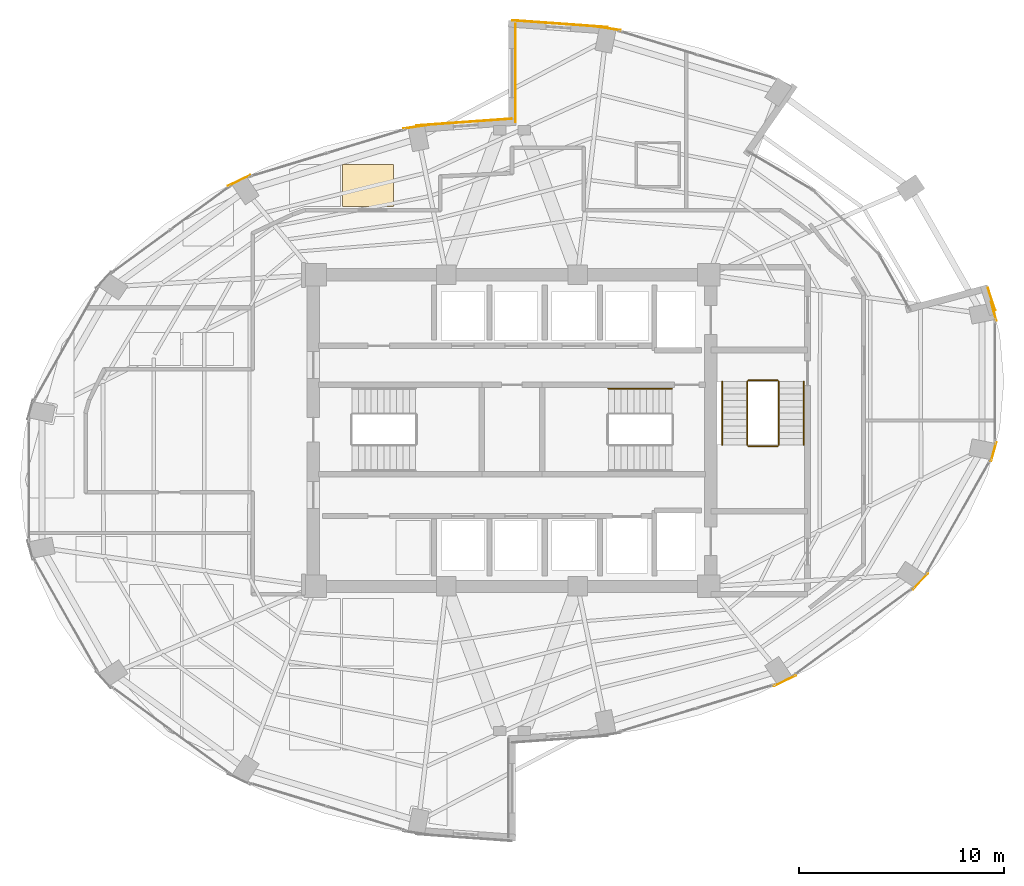
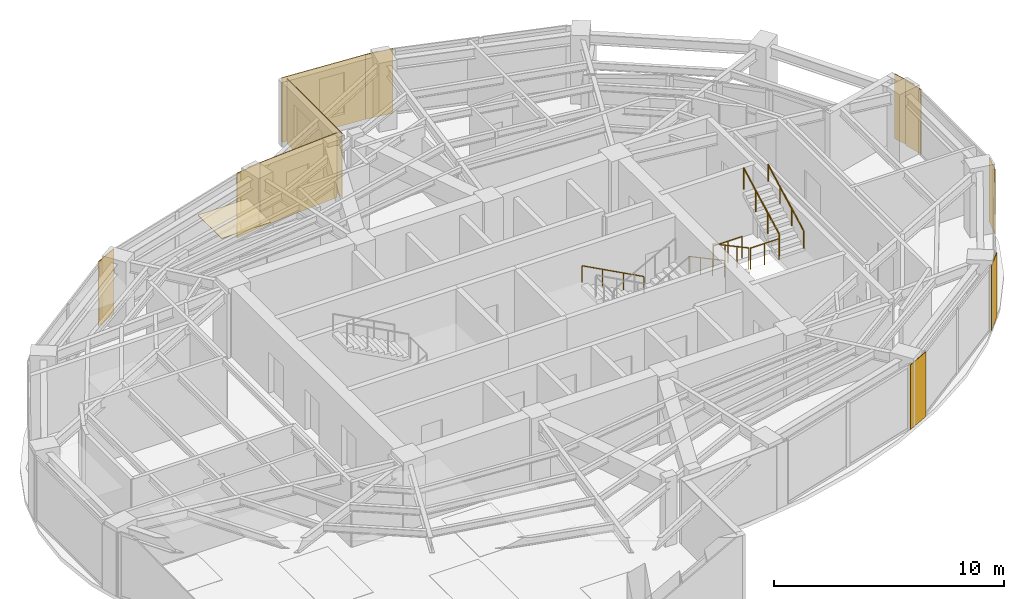
# One storey, part 19 of 19: 12 coverings, 7 railings.
"""IFC4 building model written with IfcOpenShell, lengths in metres."""

from ifc_helpers import new_model, si_unit, direction, frame, origin, origin_2d, place, context, subcontext, project, spatial, polyline, rectangle, circle, outline, extrude, material, layer, layer_set, type_object, element, save


model = new_model("IFC4")

# Units and contexts
model_context = context("Model", 3, precision=1e-05, world=origin(), true_north=direction((0.0, 1.0)))
body_context = subcontext(model_context, "Body", "Model", "MODEL_VIEW")
ifc_project = project(units=[si_unit("LENGTHUNIT", "METRE"), si_unit("AREAUNIT", "SQUARE_METRE"), si_unit("VOLUMEUNIT", "CUBIC_METRE"), si_unit("PLANEANGLEUNIT", "RADIAN"), si_unit("MASSUNIT", "GRAM", prefix="KILO")], contexts=[model_context])

# Site, building, storey
site_placement = place(None, origin())
site = spatial("IfcSite", under=ifc_project, at=site_placement, CompositionType="ELEMENT")
building_placement = place(site_placement, origin())
building = spatial("IfcBuilding", under=site, at=building_placement, Name="Lazwardi Medical Tower", CompositionType="ELEMENT")
storey_placement = place(building_placement, frame((0.0, 0.0, 171.1201171875)))
storey = spatial("IfcBuildingStorey", under=building, at=storey_placement, Name="L44", CompositionType="ELEMENT", Elevation=171.1201171875)

# Coverings
ifc_material_1 = material(Name="Anodised bronze aluminium cassette cladding", Category="aluminium")
ifc_layer_1 = layer(ifc_material_1, 0.030029296875)
ifc_layer_set_1 = layer_set([ifc_layer_1], Name="Anodised bronze aluminium cassette cladding")
covering_type_1 = type_object("IfcCoveringType", Name="COV-CLD-BRZ", PredefinedType="CLADDING", material=ifc_layer_set_1)
covering_1_placement = place(storey_placement, frame((49.31103515625, 15.798095703125, 0.0), z_axis=(0.0, 0.0, 1.0), x_axis=(0.898079014814, 0.439834154144, 0.0)))
element("IfcCovering", 1, at=covering_1_placement, inside=storey, type_object=covering_type_1, Name="L44 Mega-column bronze cassette cover M02", PredefinedType="CLADDING", context=body_context, shape_type="SweptSolid", body=[
    extrude(rectangle(XDim=1.200439453125, YDim=0.030029296875, at=origin_2d()), origin(), (0.0, 0.0, 1.0), 3.427978515625),
])
covering_2_placement = place(storey_placement, frame((55.92138671875, 20.643310546875, 0.0), z_axis=(0.0, 0.0, 1.0), x_axis=(0.673714459537, 0.738991763832, 0.0)))
element("IfcCovering", 2, at=covering_2_placement, inside=storey, type_object=covering_type_1, Name="L44 Mega-column bronze cassette cover M03", PredefinedType="CLADDING", context=body_context, shape_type="SweptSolid", body=[
    extrude(rectangle(XDim=1.0693359375, YDim=0.030029296875, at=origin_2d()), origin(), (0.0, 0.0, 1.0), 3.427978515625),
])
for number, where, z_axis, x_axis, name in (
    (3, (59.498779296875, 26.973876953125, 0.0), (0.0, 0.0, 1.0), (0.261828726257, 0.965114354938, 0.0), "L44 Mega-column bronze cassette cover M04"),
    (4, (59.498779296875, 33.826171875, 0.0), (0.0, 0.0, 1.0), (-0.261828726257, 0.965114354938, 0.0), "L44 Mega-column bronze cassette cover M05"),
):
    element("IfcCovering", number, at=place(storey_placement, frame(where, z_axis=z_axis, x_axis=x_axis)), inside=storey, type_object=covering_type_1, Name=name, PredefinedType="CLADDING", context=body_context, shape_type="SweptSolid", body=[
        extrude(rectangle(XDim=0.9658203125, YDim=0.030029296875, at=origin_2d()), origin(), (0.0, 0.0, 1.0), 3.427978515625),
    ])
for number, where, z_axis, x_axis, name in (
    (5, (40.67431640625, 47.6240234375, 0.0), (0.0, 0.0, 1.0), (-0.989539138138, 0.144264666823, 0.0), "L44 Mega-column bronze cassette cover M08"),
    (6, (31.32568359375, 42.82421875, 0.0), (0.0, 0.0, 1.0), (-0.989539138138, -0.144264666823, 0.0), "L44 Mega-column bronze cassette cover M09"),
):
    element("IfcCovering", number, at=place(storey_placement, frame(where, z_axis=z_axis, x_axis=x_axis)), inside=storey, type_object=covering_type_1, Name=name, PredefinedType="CLADDING", context=body_context, shape_type="SweptSolid", body=[
        extrude(rectangle(XDim=1.28515625, YDim=0.030029296875, at=origin_2d()), origin(), (0.0, 0.0, 1.0), 3.427978515625),
    ])
covering_3_placement = place(storey_placement, frame((22.68896484375, 40.201904296875, 0.0), z_axis=(0.0, 0.0, 1.0), x_axis=(-0.898079014814, -0.439834154144, 0.0)))
element("IfcCovering", 7, at=covering_3_placement, inside=storey, type_object=covering_type_1, Name="L44 Mega-column bronze cassette cover M10", PredefinedType="CLADDING", context=body_context, shape_type="SweptSolid", body=[
    extrude(rectangle(XDim=1.200439453125, YDim=0.030029296875, at=origin_2d()), origin(), (0.0, 0.0, 1.0), 3.427978515625),
])
ifc_material_2 = material(Name="Turquoise glazed ceramic tilework cladding", Category="masonry")
ifc_layer_2 = layer(ifc_material_2, 0.034912109375)
ifc_layer_set_2 = layer_set([ifc_layer_2], Name="Turquoise glazed ceramic tilework cladding")
covering_type_2 = type_object("IfcCoveringType", Name="COV-CLD-TRQ", PredefinedType="CLADDING", material=ifc_layer_set_2)
covering_4_placement = place(storey_placement, frame((38.338134765625, 47.847412109375, 0.0), z_axis=(0.0, 0.0, 1.0), x_axis=(-0.997414510753, 0.071863020663, 0.0)))
element("IfcCovering", 8, at=covering_4_placement, inside=storey, type_object=covering_type_2, Name="L44 Turquoise glazed ceramic tilework cladding", PredefinedType="CLADDING", context=body_context, shape_type="SweptSolid", body=[
    extrude(rectangle(XDim=4.6630859375, YDim=0.034912109375, at=origin_2d()), origin(), (0.0, 0.0, 1.0), 3.427978515625),
])
covering_5_placement = place(storey_placement, frame((33.66162109375, 43.047607421875, 0.0), z_axis=(0.0, 0.0, 1.0), x_axis=(-0.997414134466, -0.071868243112, 0.0)))
element("IfcCovering", 9, at=covering_5_placement, inside=storey, type_object=covering_type_2, Name="L44 Turquoise glazed ceramic tilework cladding", PredefinedType="CLADDING", context=body_context, shape_type="SweptSolid", body=[
    extrude(rectangle(XDim=4.66259765625, YDim=0.034912109375, at=origin_2d()), origin(), (0.0, 0.0, 1.0), 3.427978515625),
])
covering_6_placement = place(storey_placement, frame((36.175537109375, 45.43994140625, 0.0), z_axis=(0.0, 0.0, 1.0), x_axis=(0.0, -1.0, 0.0)))
element("IfcCovering", 10, at=covering_6_placement, inside=storey, type_object=covering_type_2, Name="L44 Turquoise glazed ceramic tilework iwan panel", PredefinedType="CLADDING", context=body_context, shape_type="SweptSolid", body=[
    extrude(rectangle(XDim=4.800048828125, YDim=0.034912109375, at=origin_2d()), origin(), (0.0, 0.0, 1.0), 3.427978515625),
])
covering_7_placement = place(storey_placement, frame((59.3916015625, 34.416015625, 0.0), z_axis=(0.0, 0.0, 1.0), x_axis=(-0.303560814538, 0.95281206535, 0.0)))
element("IfcCovering", 11, at=covering_7_placement, inside=storey, type_object=covering_type_2, Name="L44 Turquoise glazed ceramic tilework cladding", PredefinedType="CLADDING", context=body_context, shape_type="SweptSolid", body=[
    extrude(rectangle(XDim=1.167724609375, YDim=0.034912109375, at=origin_2d()), origin(), (0.0, 0.0, 1.0), 3.427978515625),
])
ifc_material_3 = material(Name="Acoustic mineral fibre tile")
ifc_layer_3 = layer(ifc_material_3, 0.02490234375)
ifc_layer_set_3 = layer_set([ifc_layer_3], Name="Acoustic mineral fibre tile")
covering_type_3 = type_object("IfcCoveringType", Name="COV-CLG-01", PredefinedType="CEILING", material=ifc_layer_set_3)
covering_8_placement = place(storey_placement, frame((0.0, 0.0, 3.282958984375)))
element("IfcCovering", 12, at=covering_8_placement, inside=storey, type_object=covering_type_3, Name="L44 Clinical Acoustic Ceiling 9", PredefinedType="CEILING", context=body_context, shape_type="SweptSolid", body=[
    extrude(outline(polyline([(27.742919921875, 38.925048828125), (30.222900390625, 38.925048828125), (30.222900390625, 40.992431640625), (27.742919921875, 40.992431640625), (27.742919921875, 38.925048828125)])), origin(), (0.0, 0.0, 1.0), 0.02490234375),
])

# Railings
ifc_material_4 = material(Name="Stainless steel Grade 316", Category="steel")
railing_type_1 = type_object("IfcRailingType", Name="RLG-GRD-1150", PredefinedType="GUARDRAIL", material=ifc_material_4)
railing_1_placement = place(storey_placement, frame((47.469970703125, 30.39990234375, 0.165771484375)))
element("IfcRailing", 13, at=railing_1_placement, inside=storey, type_object=railing_type_1, Name="L44 ST3 stair guard 1", PredefinedType="GUARDRAIL", context=body_context, shape_type="SweptSolid", body=[
    extrude(circle(Radius=0.02392578125, at=origin_2d()), frame((0.0, 0.0, 1.1259765625), z_axis=(0.0, -0.881767849116, 0.471683644262), x_axis=(1.0, 0.0, 0.0)), (0.0, 0.0, 1.0), 3.515380859375),
    extrude(circle(Radius=0.02099609375, at=origin_2d()), origin(), (0.0, 0.0, 1.0), 1.099853515625),
    extrude(circle(Radius=0.02099609375, at=origin_2d()), frame((0.0, -1.033203125, 0.552734375)), (0.0, 0.0, 1.0), 1.099853515625),
    extrude(circle(Radius=0.02099609375, at=origin_2d()), frame((0.0, -2.066650390625, 1.10546875)), (0.0, 0.0, 1.0), 1.099853515625),
    extrude(circle(Radius=0.02099609375, at=origin_2d()), frame((0.0, -3.099853515625, 1.658203125)), (0.0, 0.0, 1.0), 1.099853515625),
])
railing_2_placement = place(storey_placement, frame((47.52001953125, 27.25, 1.823974609375)))
element("IfcRailing", 14, at=railing_2_placement, inside=storey, type_object=railing_type_1, Name="L44 ST3 stair guard 2", PredefinedType="GUARDRAIL", context=body_context, shape_type="SweptSolid", body=[
    extrude(circle(Radius=0.02392578125, at=origin_2d()), frame((0.0, 0.0, 1.1259765625), z_axis=(1.0, 0.0, 0.0), x_axis=(0.0, 1.0, 0.0)), (0.0, 0.0, 1.0), 1.43994140625),
    extrude(circle(Radius=0.02099609375, at=origin_2d()), origin(), (0.0, 0.0, 1.0), 1.099853515625),
    extrude(circle(Radius=0.02099609375, at=origin_2d()), frame((0.719970703125, 0.0, 0.0)), (0.0, 0.0, 1.0), 1.099853515625),
    extrude(circle(Radius=0.02099609375, at=origin_2d()), frame((1.43994140625, 0.0, 0.0)), (0.0, 0.0, 1.0), 1.099853515625),
])
railing_3_placement = place(storey_placement, frame((49.010009765625, 27.300048828125, 1.98974609375)))
element("IfcRailing", 15, at=railing_3_placement, inside=storey, type_object=railing_type_1, Name="L44 ST3 stair guard 3", PredefinedType="GUARDRAIL", context=body_context, shape_type="SweptSolid", body=[
    extrude(circle(Radius=0.02392578125, at=origin_2d()), frame((0.0, 0.0, 1.1259765625), z_axis=(0.0, 0.881767849116, 0.471683644262), x_axis=(-1.0, 0.0, 0.0)), (0.0, 0.0, 1.0), 3.515380859375),
    extrude(circle(Radius=0.02099609375, at=origin_2d()), origin(), (0.0, 0.0, 1.0), 1.099853515625),
    extrude(circle(Radius=0.02099609375, at=origin_2d()), frame((0.0, 1.033203125, 0.552734375)), (0.0, 0.0, 1.0), 1.099853515625),
    extrude(circle(Radius=0.02099609375, at=origin_2d()), frame((0.0, 2.066650390625, 1.10546875)), (0.0, 0.0, 1.0), 1.099853515625),
    extrude(circle(Radius=0.02099609375, at=origin_2d()), frame((0.0, 3.099853515625, 1.658203125)), (0.0, 0.0, 1.0), 1.099853515625),
])
railing_4_placement = place(storey_placement, frame((47.52001953125, 30.449951171875, 0.0)))
element("IfcRailing", 16, at=railing_4_placement, inside=storey, type_object=railing_type_1, Name="L44 ST3 stair guard 4", PredefinedType="GUARDRAIL", context=body_context, shape_type="SweptSolid", body=[
    extrude(circle(Radius=0.02392578125, at=origin_2d()), frame((0.0, 0.0, 1.1259765625), z_axis=(1.0, 0.0, 0.0), x_axis=(0.0, 1.0, 0.0)), (0.0, 0.0, 1.0), 1.43994140625),
    extrude(circle(Radius=0.02099609375, at=origin_2d()), origin(), (0.0, 0.0, 1.0), 1.099853515625),
    extrude(circle(Radius=0.02099609375, at=origin_2d()), frame((0.719970703125, 0.0, 0.0)), (0.0, 0.0, 1.0), 1.099853515625),
    extrude(circle(Radius=0.02099609375, at=origin_2d()), frame((1.43994140625, 0.0, 0.0)), (0.0, 0.0, 1.0), 1.099853515625),
])
railing_type_2 = type_object("IfcRailingType", Name="RLG-HND-920", PredefinedType="HANDRAIL", material=ifc_material_4)
railing_5_placement = place(storey_placement, frame((43.800048828125, 30.050048828125, 0.165771484375)))
element("IfcRailing", 17, at=railing_5_placement, inside=storey, type_object=railing_type_2, Name="L44 ST2 stair handrail 1", PredefinedType="HANDRAIL", context=body_context, shape_type="SweptSolid", body=[
    extrude(circle(Radius=0.02392578125, at=origin_2d()), frame((0.0, 0.0, 0.8857421875), z_axis=(-0.881783298633, 0.0, 0.471654761719), x_axis=(0.0, -1.0, 0.0)), (0.0, 0.0, 1.0), 3.515625),
    extrude(circle(Radius=0.02099609375, at=origin_2d()), origin(), (0.0, 0.0, 1.0), 0.85986328125),
    extrude(circle(Radius=0.02099609375, at=origin_2d()), frame((-1.033447265625, 0.0, 0.552734375)), (0.0, 0.0, 1.0), 0.85986328125),
    extrude(circle(Radius=0.02099609375, at=origin_2d()), frame((-2.066650390625, 0.0, 1.10546875)), (0.0, 0.0, 1.0), 0.85986328125),
    extrude(circle(Radius=0.02099609375, at=origin_2d()), frame((-3.10009765625, 0.0, 1.658203125)), (0.0, 0.0, 1.0), 0.85986328125),
])
railing_6_placement = place(storey_placement, frame((46.25, 30.39990234375, 0.165771484375)))
element("IfcRailing", 18, at=railing_6_placement, inside=storey, type_object=railing_type_2, Name="L44 ST3 stair handrail 1", PredefinedType="HANDRAIL", context=body_context, shape_type="SweptSolid", body=[
    extrude(circle(Radius=0.02392578125, at=origin_2d()), frame((0.0, 0.0, 0.8857421875), z_axis=(0.0, -0.881767849116, 0.471683644262), x_axis=(1.0, 0.0, 0.0)), (0.0, 0.0, 1.0), 3.515380859375),
    extrude(circle(Radius=0.02099609375, at=origin_2d()), origin(), (0.0, 0.0, 1.0), 0.85986328125),
    extrude(circle(Radius=0.02099609375, at=origin_2d()), frame((0.0, -1.033203125, 0.552734375)), (0.0, 0.0, 1.0), 0.85986328125),
    extrude(circle(Radius=0.02099609375, at=origin_2d()), frame((0.0, -2.066650390625, 1.10546875)), (0.0, 0.0, 1.0), 0.85986328125),
    extrude(circle(Radius=0.02099609375, at=origin_2d()), frame((0.0, -3.099853515625, 1.658203125)), (0.0, 0.0, 1.0), 0.85986328125),
])
railing_7_placement = place(storey_placement, frame((50.22998046875, 27.300048828125, 1.98974609375)))
element("IfcRailing", 19, at=railing_7_placement, inside=storey, type_object=railing_type_2, Name="L44 ST3 stair handrail 2", PredefinedType="HANDRAIL", context=body_context, shape_type="SweptSolid", body=[
    extrude(circle(Radius=0.02392578125, at=origin_2d()), frame((0.0, 0.0, 0.8857421875), z_axis=(0.0, 0.881767849116, 0.471683644262), x_axis=(-1.0, 0.0, 0.0)), (0.0, 0.0, 1.0), 3.515380859375),
    extrude(circle(Radius=0.02099609375, at=origin_2d()), origin(), (0.0, 0.0, 1.0), 0.85986328125),
    extrude(circle(Radius=0.02099609375, at=origin_2d()), frame((0.0, 1.033203125, 0.552734375)), (0.0, 0.0, 1.0), 0.85986328125),
    extrude(circle(Radius=0.02099609375, at=origin_2d()), frame((0.0, 2.066650390625, 1.10546875)), (0.0, 0.0, 1.0), 0.85986328125),
    extrude(circle(Radius=0.02099609375, at=origin_2d()), frame((0.0, 3.099853515625, 1.658203125)), (0.0, 0.0, 1.0), 0.85986328125),
])

save(model, "model.ifc")
